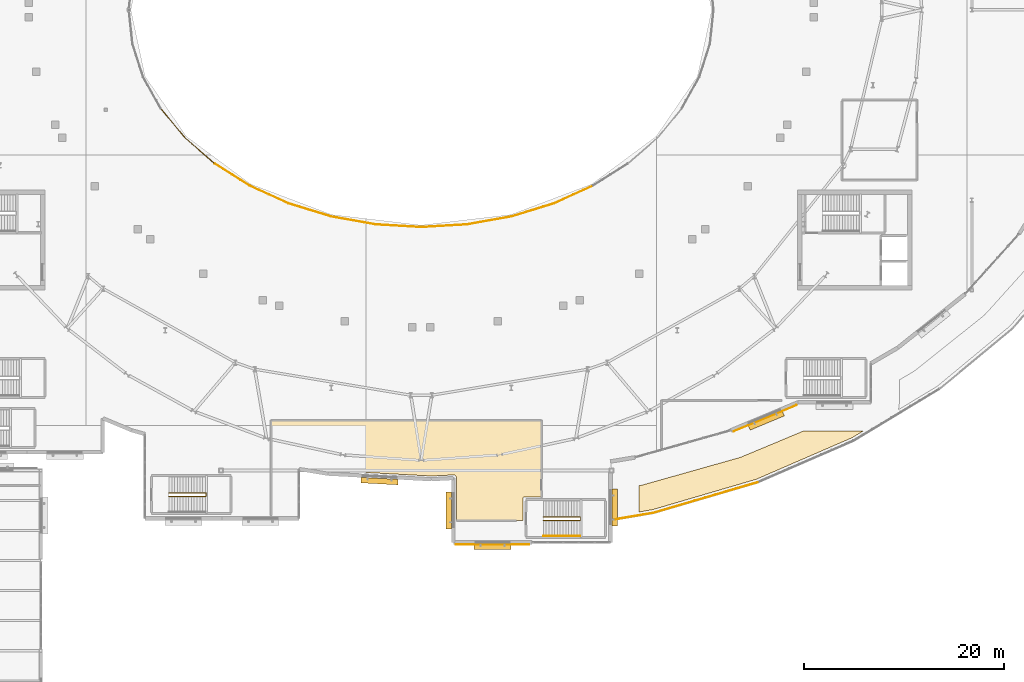
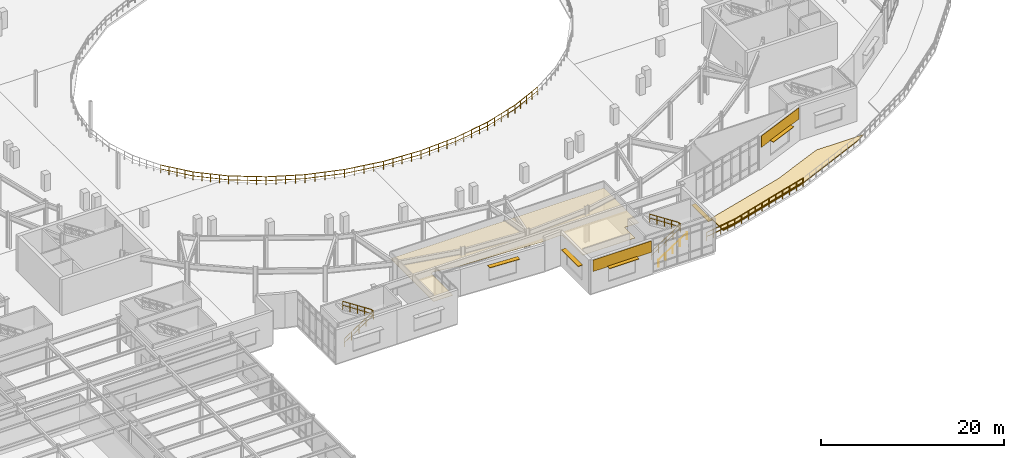
# One storey, part 79 of 84: 16 railings, 5 shading devices, 4 coverings.
"""IFC4 building model written with IfcOpenShell, lengths in metres."""

from ifc_helpers import new_model, si_unit, direction, frame, origin, origin_2d, place, context, subcontext, project, spatial, polyline, rectangle, circle, outline, extrude, material, layer, layer_set, type_object, element, save


model = new_model("IFC4")

# Units and contexts
model_context = context("Model", 3, precision=1e-05, world=origin(), true_north=direction((0.0, 1.0)))
body_context = subcontext(model_context, "Body", "Model", "MODEL_VIEW")
ifc_project = project(units=[si_unit("LENGTHUNIT", "METRE"), si_unit("AREAUNIT", "SQUARE_METRE"), si_unit("VOLUMEUNIT", "CUBIC_METRE"), si_unit("PLANEANGLEUNIT", "RADIAN"), si_unit("MASSUNIT", "GRAM", prefix="KILO")], contexts=[model_context])

# Site, building, storey
site_placement = place(None, origin())
site = spatial("IfcSite", under=ifc_project, at=site_placement, CompositionType="ELEMENT")
building_placement = place(site_placement, origin())
building = spatial("IfcBuilding", under=site, at=building_placement, Name="Glasvene Arena", CompositionType="ELEMENT")
storey_placement = place(building_placement, frame((0.0, 0.0, 10.199951171875)))
storey = spatial("IfcBuildingStorey", under=building, at=storey_placement, Name="L02", CompositionType="ELEMENT", Elevation=10.199951171875)

# Coverings
ifc_material_1 = material(Name="Perforated acoustic mineral ceiling tile")
ifc_layer_1 = layer(ifc_material_1, 0.0400390625)
ifc_layer_set_1 = layer_set([ifc_layer_1], Name="Perforated acoustic mineral ceiling tile")
covering_type_1 = type_object("IfcCoveringType", Name="COV-CEIL-AC", PredefinedType="CEILING", material=ifc_layer_set_1)
covering_1_placement = place(storey_placement, frame((89.950927734375, 26.097412109375, 3.580078125)))
element("IfcCovering", 1, at=covering_1_placement, inside=storey, type_object=covering_type_1, Name="Acoustic suspended ceiling Prairie Club Lounge South", PredefinedType="CEILING", context=body_context, shape_type="SweptSolid", body=[
    extrude(outline(polyline([(5.589111328125, -4.077392578125), (5.58740234375, 0.153076171875), (5.5185546875, 0.326416015625), (5.419189453125, 0.414794921875), (5.330322265625, 0.450439453125), (3.049072265625, 0.343017578125), (-7.22314453125, 0.893798828125), (-10.12841796875, 1.36767578125), (-10.25390625, 1.351806640625), (-10.367919921875, 1.28955078125), (-10.4501953125, 1.18896484375), (-10.488525390625, 1.064697265625), (-10.490966796875, -3.557373046875), (-12.930908203125, -3.557373046875), (-12.930908203125, 5.882568359375), (14.029052734375, 5.882568359375), (14.029052734375, -1.77734375), (12.2490234375, -1.77734375), (12.233642578125, -1.78466796875), (12.22900390625, -4.077392578125), (5.589111328125, -4.077392578125)])), origin(), (0.0, 0.0, 1.0), 0.0400390625),
])
ifc_material_2 = material(Name="Coursed pale Irish limestone", Category="masonry")
ifc_layer_2 = layer(ifc_material_2, 0.050048828125)
ifc_layer_set_2 = layer_set([ifc_layer_2], Name="Coursed pale Irish limestone")
covering_type_2 = type_object("IfcCoveringType", Name="COV-CLAD-LIM", PredefinedType="CLADDING", material=ifc_layer_set_2)
covering_2_placement = place(storey_placement, frame((126.355712890625, 32.21240234375, 2.949951171875), z_axis=(0.0, 0.0, 1.0), x_axis=(-0.922807277859, -0.385261895248, 0.0)))
element("IfcCovering", 2, at=covering_2_placement, inside=storey, type_object=covering_type_2, Name="Irish limestone spandrel cladding EW-L02-0153", PredefinedType="CLADDING", context=body_context, shape_type="SweptSolid", body=[
    extrude(rectangle(XDim=6.783447265625, YDim=0.050048828125, at=origin_2d()), origin(), (0.0, 0.0, 1.0), 1.52001953125),
])
covering_3_placement = place(storey_placement, frame((99.125, 19.60009765625, 2.949951171875), z_axis=(0.0, 0.0, 1.0), x_axis=(-1.0, 0.0, 0.0)))
element("IfcCovering", 3, at=covering_3_placement, inside=storey, type_object=covering_type_2, Name="Irish limestone spandrel cladding EW-L02-0156", PredefinedType="CLADDING", context=body_context, shape_type="SweptSolid", body=[
    extrude(rectangle(XDim=7.35009765625, YDim=0.050048828125, at=origin_2d()), origin(), (0.0, 0.0, 1.0), 1.52001953125),
])
ifc_material_3 = material(Name="Planted sedum green roof substrate")
ifc_layer_3 = layer(ifc_material_3, 0.1201171875)
ifc_layer_set_3 = layer_set([ifc_layer_3], Name="Planted sedum green roof substrate")
covering_type_3 = type_object("IfcCoveringType", Name="COV-ROOF-SEDUM", PredefinedType="ROOFING", material=ifc_layer_set_3)
covering_4_placement = place(storey_placement, frame((121.38720703125, 26.9990234375, 0.0)))
element("IfcCovering", 4, at=covering_4_placement, inside=storey, type_object=covering_type_3, Name="Planted limestone terrace sedum bed TR-L02-STEP1-1-01", PredefinedType="ROOFING", context=body_context, shape_type="SweptSolid", body=[
    extrude(outline(polyline([(14.776123046875, 3.950927734375), (13.638427734375, 3.26318359375), (4.07861328125, -0.8828125), (-6.28564453125, -3.921142578125), (-7.63720703125, -4.150634765625), (-7.63720703125, -1.526123046875), (-7.56298828125, -1.513916015625), (-7.5380859375, -1.50927734375), (-7.273681640625, -1.450439453125), (-7.2490234375, -1.4443359375), (2.304931640625, 1.251953125), (2.330810546875, 1.260009765625), (2.603515625, 1.35498046875), (2.62890625, 1.36474609375), (8.822998046875, 3.950927734375), (14.776123046875, 3.950927734375)])), origin(), (0.0, 0.0, 1.0), 0.1201171875),
])

# Railings
ifc_material_4 = material(Name="Brushed stainless steel", Category="steel")
railing_type_1 = type_object("IfcRailingType", Name="RL-GUARD-1100", PredefinedType="GUARDRAIL", material=ifc_material_4)
railing_1_placement = place(storey_placement, frame((66.800048828125, 24.409912109375, 0.0)))
element("IfcRailing", 5, at=railing_1_placement, inside=storey, type_object=railing_type_1, Name="Stair inner well continuous guardrail ST-08-L02", PredefinedType="GUARDRAIL", context=body_context, shape_type="SweptSolid", body=[
    extrude(circle(Radius=0.02392578125, at=origin_2d()), frame((0.0, 0.0, 1.076171875), z_axis=(0.837590697589, 0.0, 0.546298291515), x_axis=(0.0, 1.0, 0.0)), (0.0, 0.0, 1.0), 4.3935546875),
    extrude(circle(Radius=0.01611328125, at=origin_2d()), frame((0.0, 0.0, 0.550048828125), z_axis=(0.837590697589, 0.0, 0.546298291515), x_axis=(0.0, 1.0, 0.0)), (0.0, 0.0, 1.0), 4.3935546875),
    extrude(circle(Radius=0.02392578125, at=origin_2d()), frame((3.679931640625, 0.0, 3.47607421875), z_axis=(0.0, 1.0, 0.0), x_axis=(-1.0, 0.0, 0.0)), (0.0, 0.0, 1.0), 0.330078125),
    extrude(circle(Radius=0.01611328125, at=origin_2d()), frame((3.679931640625, 0.0, 2.9501953125), z_axis=(0.0, 1.0, 0.0), x_axis=(-1.0, 0.0, 0.0)), (0.0, 0.0, 1.0), 0.330078125),
    extrude(circle(Radius=0.02392578125, at=origin_2d()), frame((3.679931640625, 0.330078125, 3.47607421875), z_axis=(-0.837616124378, 0.0, 0.546259304892), x_axis=(0.0, -1.0, 0.0)), (0.0, 0.0, 1.0), 4.393310546875),
    extrude(circle(Radius=0.01611328125, at=origin_2d()), frame((3.679931640625, 0.330078125, 2.9501953125), z_axis=(-0.837616124378, 0.0, 0.546259304892), x_axis=(0.0, -1.0, 0.0)), (0.0, 0.0, 1.0), 4.393310546875),
    extrude(circle(Radius=0.02099609375, at=origin_2d()), origin(), (0.0, 0.0, 1.0), 1.052001953125),
    extrude(circle(Radius=0.02099609375, at=origin_2d()), frame((0.919921875, 0.0, 0.60009765625)), (0.0, 0.0, 1.0), 1.052001953125),
    extrude(circle(Radius=0.02099609375, at=origin_2d()), frame((1.83984375, 0.0, 1.2001953125)), (0.0, 0.0, 1.0), 1.052001953125),
    extrude(circle(Radius=0.02099609375, at=origin_2d()), frame((2.760009765625, 0.0, 1.800048828125)), (0.0, 0.0, 1.0), 1.052001953125),
    extrude(circle(Radius=0.02099609375, at=origin_2d()), frame((3.679931640625, 0.0, 2.400146484375)), (0.0, 0.0, 1.0), 1.052001953125),
    extrude(circle(Radius=0.02099609375, at=origin_2d()), frame((3.679931640625, 0.330078125, 2.400146484375)), (0.0, 0.0, 1.0), 1.052001953125),
    extrude(circle(Radius=0.02099609375, at=origin_2d()), frame((2.760009765625, 0.330078125, 3.0)), (0.0, 0.0, 1.0), 1.052001953125),
    extrude(circle(Radius=0.02099609375, at=origin_2d()), frame((1.83984375, 0.330078125, 3.60009765625)), (0.0, 0.0, 1.0), 1.052001953125),
    extrude(circle(Radius=0.02099609375, at=origin_2d()), frame((0.919921875, 0.330078125, 4.2001953125)), (0.0, 0.0, 1.0), 1.052001953125),
    extrude(circle(Radius=0.02099609375, at=origin_2d()), frame((0.0, 0.330078125, 4.800048828125)), (0.0, 0.0, 1.0), 1.052001953125),
])
railing_2_placement = place(storey_placement, frame((104.199951171875, 22.010009765625, 0.0)))
element("IfcRailing", 6, at=railing_2_placement, inside=storey, type_object=railing_type_1, Name="Stair inner well continuous guardrail ST-09-L02", PredefinedType="GUARDRAIL", context=body_context, shape_type="SweptSolid", body=[
    extrude(circle(Radius=0.02392578125, at=origin_2d()), frame((0.0, 0.0, 1.076171875), z_axis=(0.837590697589, 0.0, 0.546298291515), x_axis=(0.0, 1.0, 0.0)), (0.0, 0.0, 1.0), 4.3935546875),
    extrude(circle(Radius=0.01611328125, at=origin_2d()), frame((0.0, 0.0, 0.550048828125), z_axis=(0.837590697589, 0.0, 0.546298291515), x_axis=(0.0, 1.0, 0.0)), (0.0, 0.0, 1.0), 4.3935546875),
    extrude(circle(Radius=0.02392578125, at=origin_2d()), frame((3.679931640625, 0.0, 3.47607421875), z_axis=(0.0, 1.0, 0.0), x_axis=(-1.0, 0.0, 0.0)), (0.0, 0.0, 1.0), 0.330078125),
    extrude(circle(Radius=0.01611328125, at=origin_2d()), frame((3.679931640625, 0.0, 2.9501953125), z_axis=(0.0, 1.0, 0.0), x_axis=(-1.0, 0.0, 0.0)), (0.0, 0.0, 1.0), 0.330078125),
    extrude(circle(Radius=0.02392578125, at=origin_2d()), frame((3.679931640625, 0.330078125, 3.47607421875), z_axis=(-0.837616124378, 0.0, 0.546259304892), x_axis=(0.0, -1.0, 0.0)), (0.0, 0.0, 1.0), 4.393310546875),
    extrude(circle(Radius=0.01611328125, at=origin_2d()), frame((3.679931640625, 0.330078125, 2.9501953125), z_axis=(-0.837616124378, 0.0, 0.546259304892), x_axis=(0.0, -1.0, 0.0)), (0.0, 0.0, 1.0), 4.393310546875),
    extrude(circle(Radius=0.02099609375, at=origin_2d()), origin(), (0.0, 0.0, 1.0), 1.052001953125),
    extrude(circle(Radius=0.02099609375, at=origin_2d()), frame((0.919921875, 0.0, 0.60009765625)), (0.0, 0.0, 1.0), 1.052001953125),
    extrude(circle(Radius=0.02099609375, at=origin_2d()), frame((1.83984375, 0.0, 1.2001953125)), (0.0, 0.0, 1.0), 1.052001953125),
    extrude(circle(Radius=0.02099609375, at=origin_2d()), frame((2.760009765625, 0.0, 1.800048828125)), (0.0, 0.0, 1.0), 1.052001953125),
    extrude(circle(Radius=0.02099609375, at=origin_2d()), frame((3.679931640625, 0.0, 2.400146484375)), (0.0, 0.0, 1.0), 1.052001953125),
    extrude(circle(Radius=0.02099609375, at=origin_2d()), frame((3.679931640625, 0.330078125, 2.400146484375)), (0.0, 0.0, 1.0), 1.052001953125),
    extrude(circle(Radius=0.02099609375, at=origin_2d()), frame((2.760009765625, 0.330078125, 3.0)), (0.0, 0.0, 1.0), 1.052001953125),
    extrude(circle(Radius=0.02099609375, at=origin_2d()), frame((1.83984375, 0.330078125, 3.60009765625)), (0.0, 0.0, 1.0), 1.052001953125),
    extrude(circle(Radius=0.02099609375, at=origin_2d()), frame((0.919921875, 0.330078125, 4.2001953125)), (0.0, 0.0, 1.0), 1.052001953125),
    extrude(circle(Radius=0.02099609375, at=origin_2d()), frame((0.0, 0.330078125, 4.800048828125)), (0.0, 0.0, 1.0), 1.052001953125),
])
railing_3_placement = place(storey_placement, frame((65.982666015625, 63.1484375, 0.0)))
element("IfcRailing", 7, at=railing_3_placement, inside=storey, type_object=railing_type_1, Name="Safety guardrail GD-BWL-L02-024", PredefinedType="GUARDRAIL", context=body_context, shape_type="SweptSolid", body=[
    extrude(circle(Radius=0.02392578125, at=origin_2d()), frame((0.0, 0.0, 1.076171875), z_axis=(0.6361937785, -0.771529310006, 0.0), x_axis=(0.771529310006, 0.6361937785, 0.0)), (0.0, 0.0, 1.0), 3.76318359375),
    extrude(circle(Radius=0.01611328125, at=origin_2d()), frame((0.0, 0.0, 0.550048828125), z_axis=(0.6361937785, -0.771529310006, 0.0), x_axis=(0.771529310006, 0.6361937785, 0.0)), (0.0, 0.0, 1.0), 3.76318359375),
    extrude(circle(Radius=0.02099609375, at=origin_2d()), origin(), (0.0, 0.0, 1.0), 1.052001953125),
    extrude(circle(Radius=0.02099609375, at=origin_2d()), frame((0.5986328125, -0.725830078125, 0.0)), (0.0, 0.0, 1.0), 1.052001953125),
    extrude(circle(Radius=0.02099609375, at=origin_2d()), frame((1.197021484375, -1.45166015625, 0.0)), (0.0, 0.0, 1.0), 1.052001953125),
    extrude(circle(Radius=0.02099609375, at=origin_2d()), frame((1.79541015625, -2.177490234375, 0.0)), (0.0, 0.0, 1.0), 1.052001953125),
    extrude(circle(Radius=0.02099609375, at=origin_2d()), frame((2.39404296875, -2.9033203125, 0.0)), (0.0, 0.0, 1.0), 1.052001953125),
])
railing_4_placement = place(storey_placement, frame((68.376708984375, 60.2451171875, 0.0)))
element("IfcRailing", 8, at=railing_4_placement, inside=storey, type_object=railing_type_1, Name="Safety guardrail GD-BWL-L02-025", PredefinedType="GUARDRAIL", context=body_context, shape_type="SweptSolid", body=[
    extrude(circle(Radius=0.02392578125, at=origin_2d()), frame((0.0, 0.0, 1.076171875), z_axis=(0.754394959105, -0.656420784007, 0.0), x_axis=(0.656420784007, 0.754394959105, 0.0)), (0.0, 0.0, 1.0), 3.944580078125),
    extrude(circle(Radius=0.01611328125, at=origin_2d()), frame((0.0, 0.0, 0.550048828125), z_axis=(0.754394959105, -0.656420784007, 0.0), x_axis=(0.656420784007, 0.754394959105, 0.0)), (0.0, 0.0, 1.0), 3.944580078125),
    extrude(circle(Radius=0.02099609375, at=origin_2d()), origin(), (0.0, 0.0, 1.0), 1.052001953125),
    extrude(circle(Radius=0.02099609375, at=origin_2d()), frame((0.743896484375, -0.6474609375, 0.0)), (0.0, 0.0, 1.0), 1.052001953125),
    extrude(circle(Radius=0.02099609375, at=origin_2d()), frame((1.48779296875, -1.294677734375, 0.0)), (0.0, 0.0, 1.0), 1.052001953125),
    extrude(circle(Radius=0.02099609375, at=origin_2d()), frame((2.23193359375, -1.94189453125, 0.0)), (0.0, 0.0, 1.0), 1.052001953125),
    extrude(circle(Radius=0.02099609375, at=origin_2d()), frame((2.975830078125, -2.58935546875, 0.0)), (0.0, 0.0, 1.0), 1.052001953125),
])
railing_5_placement = place(storey_placement, frame((71.3525390625, 57.65576171875, 0.0)))
element("IfcRailing", 9, at=railing_5_placement, inside=storey, type_object=railing_type_1, Name="Safety guardrail GD-BWL-L02-026", PredefinedType="GUARDRAIL", context=body_context, shape_type="SweptSolid", body=[
    extrude(circle(Radius=0.02392578125, at=origin_2d()), frame((0.0, 0.0, 1.076171875), z_axis=(0.844291843699, -0.535883646572, 0.0), x_axis=(0.535883646572, 0.844291843699, 0.0)), (0.0, 0.0, 1.0), 4.126708984375),
    extrude(circle(Radius=0.01611328125, at=origin_2d()), frame((0.0, 0.0, 0.550048828125), z_axis=(0.844291843699, -0.535883646572, 0.0), x_axis=(0.535883646572, 0.844291843699, 0.0)), (0.0, 0.0, 1.0), 4.126708984375),
    extrude(circle(Radius=0.02099609375, at=origin_2d()), origin(), (0.0, 0.0, 1.0), 1.052001953125),
    extrude(circle(Radius=0.02099609375, at=origin_2d()), frame((0.87109375, -0.552734375, 0.0)), (0.0, 0.0, 1.0), 1.052001953125),
    extrude(circle(Radius=0.02099609375, at=origin_2d()), frame((1.7421875, -1.105712890625, 0.0)), (0.0, 0.0, 1.0), 1.052001953125),
    extrude(circle(Radius=0.02099609375, at=origin_2d()), frame((2.613037109375, -1.65869140625, 0.0)), (0.0, 0.0, 1.0), 1.052001953125),
    extrude(circle(Radius=0.02099609375, at=origin_2d()), frame((3.484130859375, -2.21142578125, 0.0)), (0.0, 0.0, 1.0), 1.052001953125),
])
railing_6_placement = place(storey_placement, frame((74.836669921875, 55.4443359375, 0.0)))
element("IfcRailing", 10, at=railing_6_placement, inside=storey, type_object=railing_type_1, Name="Safety guardrail GD-BWL-L02-027", PredefinedType="GUARDRAIL", context=body_context, shape_type="SweptSolid", body=[
    extrude(circle(Radius=0.02392578125, at=origin_2d()), frame((0.0, 0.0, 1.076171875), z_axis=(0.910079947412, -0.414432731958, 0.0), x_axis=(0.414432731958, 0.910079947412, 0.0)), (0.0, 0.0, 1.0), 4.292724609375),
    extrude(circle(Radius=0.01611328125, at=origin_2d()), frame((0.0, 0.0, 0.550048828125), z_axis=(0.910079947412, -0.414432731958, 0.0), x_axis=(0.414432731958, 0.910079947412, 0.0)), (0.0, 0.0, 1.0), 4.292724609375),
    extrude(circle(Radius=0.02099609375, at=origin_2d()), origin(), (0.0, 0.0, 1.0), 1.052001953125),
    extrude(circle(Radius=0.02099609375, at=origin_2d()), frame((0.9765625, -0.44482421875, 0.0)), (0.0, 0.0, 1.0), 1.052001953125),
    extrude(circle(Radius=0.02099609375, at=origin_2d()), frame((1.953369140625, -0.8896484375, 0.0)), (0.0, 0.0, 1.0), 1.052001953125),
    extrude(circle(Radius=0.02099609375, at=origin_2d()), frame((2.93017578125, -1.334228515625, 0.0)), (0.0, 0.0, 1.0), 1.052001953125),
    extrude(circle(Radius=0.02099609375, at=origin_2d()), frame((3.90673828125, -1.779052734375, 0.0)), (0.0, 0.0, 1.0), 1.052001953125),
])
railing_7_placement = place(storey_placement, frame((78.743408203125, 53.665283203125, 0.0)))
element("IfcRailing", 11, at=railing_7_placement, inside=storey, type_object=railing_type_1, Name="Safety guardrail GD-BWL-L02-028", PredefinedType="GUARDRAIL", context=body_context, shape_type="SweptSolid", body=[
    extrude(circle(Radius=0.02392578125, at=origin_2d()), frame((0.0, 0.0, 1.076171875), z_axis=(0.955738480796, -0.294217532323, 0.0), x_axis=(0.294217532323, 0.955738480796, 0.0)), (0.0, 0.0, 1.0), 4.429443359375),
    extrude(circle(Radius=0.01611328125, at=origin_2d()), frame((0.0, 0.0, 0.550048828125), z_axis=(0.955738480796, -0.294217532323, 0.0), x_axis=(0.294217532323, 0.955738480796, 0.0)), (0.0, 0.0, 1.0), 4.429443359375),
    extrude(circle(Radius=0.02099609375, at=origin_2d()), origin(), (0.0, 0.0, 1.0), 1.052001953125),
    extrude(circle(Radius=0.02099609375, at=origin_2d()), frame((1.058349609375, -0.32568359375, 0.0)), (0.0, 0.0, 1.0), 1.052001953125),
    extrude(circle(Radius=0.02099609375, at=origin_2d()), frame((2.11669921875, -0.651611328125, 0.0)), (0.0, 0.0, 1.0), 1.052001953125),
    extrude(circle(Radius=0.02099609375, at=origin_2d()), frame((3.175048828125, -0.9775390625, 0.0)), (0.0, 0.0, 1.0), 1.052001953125),
    extrude(circle(Radius=0.02099609375, at=origin_2d()), frame((4.2333984375, -1.30322265625, 0.0)), (0.0, 0.0, 1.0), 1.052001953125),
])
railing_8_placement = place(storey_placement, frame((82.976806640625, 52.362060546875, 0.0)))
element("IfcRailing", 12, at=railing_8_placement, inside=storey, type_object=railing_type_1, Name="Safety guardrail GD-BWL-L02-029", PredefinedType="GUARDRAIL", context=body_context, shape_type="SweptSolid", body=[
    extrude(circle(Radius=0.02392578125, at=origin_2d()), frame((0.0, 0.0, 1.076171875), z_axis=(0.984453237515, -0.175646870587, 0.0), x_axis=(0.175646870587, 0.984453237515, 0.0)), (0.0, 0.0, 1.0), 4.525634765625),
    extrude(circle(Radius=0.01611328125, at=origin_2d()), frame((0.0, 0.0, 0.550048828125), z_axis=(0.984453237515, -0.175646870587, 0.0), x_axis=(0.175646870587, 0.984453237515, 0.0)), (0.0, 0.0, 1.0), 4.525634765625),
    extrude(circle(Radius=0.02099609375, at=origin_2d()), origin(), (0.0, 0.0, 1.0), 1.052001953125),
    extrude(circle(Radius=0.02099609375, at=origin_2d()), frame((1.11376953125, -0.19873046875, 0.0)), (0.0, 0.0, 1.0), 1.052001953125),
    extrude(circle(Radius=0.02099609375, at=origin_2d()), frame((2.2275390625, -0.3974609375, 0.0)), (0.0, 0.0, 1.0), 1.052001953125),
    extrude(circle(Radius=0.02099609375, at=origin_2d()), frame((3.341552734375, -0.59619140625, 0.0)), (0.0, 0.0, 1.0), 1.052001953125),
    extrude(circle(Radius=0.02099609375, at=origin_2d()), frame((4.455322265625, -0.794921875, 0.0)), (0.0, 0.0, 1.0), 1.052001953125),
])
railing_9_placement = place(storey_placement, frame((87.43212890625, 51.567138671875, 0.0)))
element("IfcRailing", 13, at=railing_9_placement, inside=storey, type_object=railing_type_1, Name="Safety guardrail GD-BWL-L02-030", PredefinedType="GUARDRAIL", context=body_context, shape_type="SweptSolid", body=[
    extrude(circle(Radius=0.02392578125, at=origin_2d()), frame((0.0, 0.0, 1.076171875), z_axis=(0.998294918251, -0.058371707139, 0.0), x_axis=(0.058371707139, 0.998294918251, 0.0)), (0.0, 0.0, 1.0), 4.57568359375),
    extrude(circle(Radius=0.01611328125, at=origin_2d()), frame((0.0, 0.0, 0.550048828125), z_axis=(0.998294918251, -0.058371707139, 0.0), x_axis=(0.058371707139, 0.998294918251, 0.0)), (0.0, 0.0, 1.0), 4.57568359375),
    extrude(circle(Radius=0.02099609375, at=origin_2d()), origin(), (0.0, 0.0, 1.0), 1.052001953125),
    extrude(circle(Radius=0.02099609375, at=origin_2d()), frame((1.14208984375, -0.06689453125, 0.0)), (0.0, 0.0, 1.0), 1.052001953125),
    extrude(circle(Radius=0.02099609375, at=origin_2d()), frame((2.283935546875, -0.133544921875, 0.0)), (0.0, 0.0, 1.0), 1.052001953125),
    extrude(circle(Radius=0.02099609375, at=origin_2d()), frame((3.42578125, -0.2001953125, 0.0)), (0.0, 0.0, 1.0), 1.052001953125),
    extrude(circle(Radius=0.02099609375, at=origin_2d()), frame((4.56787109375, -0.26708984375, 0.0)), (0.0, 0.0, 1.0), 1.052001953125),
])
railing_10_placement = place(storey_placement, frame((92.0, 51.300048828125, 0.0)))
element("IfcRailing", 14, at=railing_10_placement, inside=storey, type_object=railing_type_1, Name="Safety guardrail GD-BWL-L02-031", PredefinedType="GUARDRAIL", context=body_context, shape_type="SweptSolid", body=[
    extrude(circle(Radius=0.02392578125, at=origin_2d()), frame((0.0, 0.0, 1.076171875), z_axis=(0.998294918251, 0.058371707139, 0.0), x_axis=(-0.058371707139, 0.998294918251, 0.0)), (0.0, 0.0, 1.0), 4.57568359375),
    extrude(circle(Radius=0.01611328125, at=origin_2d()), frame((0.0, 0.0, 0.550048828125), z_axis=(0.998294918251, 0.058371707139, 0.0), x_axis=(-0.058371707139, 0.998294918251, 0.0)), (0.0, 0.0, 1.0), 4.57568359375),
    extrude(circle(Radius=0.02099609375, at=origin_2d()), origin(), (0.0, 0.0, 1.0), 1.052001953125),
    extrude(circle(Radius=0.02099609375, at=origin_2d()), frame((1.14208984375, 0.06689453125, 0.0)), (0.0, 0.0, 1.0), 1.052001953125),
    extrude(circle(Radius=0.02099609375, at=origin_2d()), frame((2.283935546875, 0.133544921875, 0.0)), (0.0, 0.0, 1.0), 1.052001953125),
    extrude(circle(Radius=0.02099609375, at=origin_2d()), frame((3.42578125, 0.2001953125, 0.0)), (0.0, 0.0, 1.0), 1.052001953125),
    extrude(circle(Radius=0.02099609375, at=origin_2d()), frame((4.56787109375, 0.26708984375, 0.0)), (0.0, 0.0, 1.0), 1.052001953125),
])
railing_11_placement = place(storey_placement, frame((96.56787109375, 51.567138671875, 0.0)))
element("IfcRailing", 15, at=railing_11_placement, inside=storey, type_object=railing_type_1, Name="Safety guardrail GD-BWL-L02-032", PredefinedType="GUARDRAIL", context=body_context, shape_type="SweptSolid", body=[
    extrude(circle(Radius=0.02392578125, at=origin_2d()), frame((0.0, 0.0, 1.076171875), z_axis=(0.984453237515, 0.175646870587, 0.0), x_axis=(-0.175646870587, 0.984453237515, 0.0)), (0.0, 0.0, 1.0), 4.525634765625),
    extrude(circle(Radius=0.01611328125, at=origin_2d()), frame((0.0, 0.0, 0.550048828125), z_axis=(0.984453237515, 0.175646870587, 0.0), x_axis=(-0.175646870587, 0.984453237515, 0.0)), (0.0, 0.0, 1.0), 4.525634765625),
    extrude(circle(Radius=0.02099609375, at=origin_2d()), origin(), (0.0, 0.0, 1.0), 1.052001953125),
    extrude(circle(Radius=0.02099609375, at=origin_2d()), frame((1.11376953125, 0.19873046875, 0.0)), (0.0, 0.0, 1.0), 1.052001953125),
    extrude(circle(Radius=0.02099609375, at=origin_2d()), frame((2.2275390625, 0.3974609375, 0.0)), (0.0, 0.0, 1.0), 1.052001953125),
    extrude(circle(Radius=0.02099609375, at=origin_2d()), frame((3.341552734375, 0.59619140625, 0.0)), (0.0, 0.0, 1.0), 1.052001953125),
    extrude(circle(Radius=0.02099609375, at=origin_2d()), frame((4.455322265625, 0.794921875, 0.0)), (0.0, 0.0, 1.0), 1.052001953125),
])
railing_12_placement = place(storey_placement, frame((101.023193359375, 52.362060546875, 0.0)))
element("IfcRailing", 16, at=railing_12_placement, inside=storey, type_object=railing_type_1, Name="Safety guardrail GD-BWL-L02-033", PredefinedType="GUARDRAIL", context=body_context, shape_type="SweptSolid", body=[
    extrude(circle(Radius=0.02392578125, at=origin_2d()), frame((0.0, 0.0, 1.076171875), z_axis=(0.955738480796, 0.294217532323, 0.0), x_axis=(-0.294217532323, 0.955738480796, 0.0)), (0.0, 0.0, 1.0), 4.429443359375),
    extrude(circle(Radius=0.01611328125, at=origin_2d()), frame((0.0, 0.0, 0.550048828125), z_axis=(0.955738480796, 0.294217532323, 0.0), x_axis=(-0.294217532323, 0.955738480796, 0.0)), (0.0, 0.0, 1.0), 4.429443359375),
    extrude(circle(Radius=0.02099609375, at=origin_2d()), origin(), (0.0, 0.0, 1.0), 1.052001953125),
    extrude(circle(Radius=0.02099609375, at=origin_2d()), frame((1.058349609375, 0.32568359375, 0.0)), (0.0, 0.0, 1.0), 1.052001953125),
    extrude(circle(Radius=0.02099609375, at=origin_2d()), frame((2.11669921875, 0.651611328125, 0.0)), (0.0, 0.0, 1.0), 1.052001953125),
    extrude(circle(Radius=0.02099609375, at=origin_2d()), frame((3.175048828125, 0.9775390625, 0.0)), (0.0, 0.0, 1.0), 1.052001953125),
    extrude(circle(Radius=0.02099609375, at=origin_2d()), frame((4.2333984375, 1.30322265625, 0.0)), (0.0, 0.0, 1.0), 1.052001953125),
])
railing_13_placement = place(storey_placement, frame((105.256591796875, 53.665283203125, 0.0)))
element("IfcRailing", 17, at=railing_13_placement, inside=storey, type_object=railing_type_1, Name="Safety guardrail GD-BWL-L02-034", PredefinedType="GUARDRAIL", context=body_context, shape_type="SweptSolid", body=[
    extrude(circle(Radius=0.02392578125, at=origin_2d()), frame((0.0, 0.0, 1.076171875), z_axis=(0.910079947412, 0.414432731958, 0.0), x_axis=(-0.414432731958, 0.910079947412, 0.0)), (0.0, 0.0, 1.0), 4.292724609375),
    extrude(circle(Radius=0.01611328125, at=origin_2d()), frame((0.0, 0.0, 0.550048828125), z_axis=(0.910079947412, 0.414432731958, 0.0), x_axis=(-0.414432731958, 0.910079947412, 0.0)), (0.0, 0.0, 1.0), 4.292724609375),
    extrude(circle(Radius=0.02099609375, at=origin_2d()), origin(), (0.0, 0.0, 1.0), 1.052001953125),
    extrude(circle(Radius=0.02099609375, at=origin_2d()), frame((0.9765625, 0.44482421875, 0.0)), (0.0, 0.0, 1.0), 1.052001953125),
    extrude(circle(Radius=0.02099609375, at=origin_2d()), frame((1.953369140625, 0.8896484375, 0.0)), (0.0, 0.0, 1.0), 1.052001953125),
    extrude(circle(Radius=0.02099609375, at=origin_2d()), frame((2.93017578125, 1.334228515625, 0.0)), (0.0, 0.0, 1.0), 1.052001953125),
    extrude(circle(Radius=0.02099609375, at=origin_2d()), frame((3.90673828125, 1.779052734375, 0.0)), (0.0, 0.0, 1.0), 1.052001953125),
])
ifc_material_5 = material(Name="Warm bronze architectural aluminium", Category="aluminium")
railing_type_2 = type_object("IfcRailingType", Name="RL-GUARD-EXT-1150", PredefinedType="GUARDRAIL", material=ifc_material_5)
railing_14_placement = place(storey_placement, frame((125.578369140625, 25.805419921875, 0.0)))
element("IfcRailing", 18, at=railing_14_placement, inside=storey, type_object=railing_type_2, Name="Safety guardrail GD-TER-L02-TR-L02-STEP1-1-01-006", PredefinedType="GUARDRAIL", context=body_context, shape_type="SweptSolid", body=[
    extrude(circle(Radius=0.02392578125, at=origin_2d()), frame((0.0, 0.0, 1.1259765625), z_axis=(-0.959615441823, -0.281315132573, 0.0), x_axis=(0.281315132573, -0.959615441823, 0.0)), (0.0, 0.0, 1.0), 10.84033203125),
    extrude(circle(Radius=0.01611328125, at=origin_2d()), frame((0.0, 0.0, 0.574951171875), z_axis=(-0.959615441823, -0.281315132573, 0.0), x_axis=(0.281315132573, -0.959615441823, 0.0)), (0.0, 0.0, 1.0), 10.84033203125),
    extrude(circle(Radius=0.02099609375, at=origin_2d()), origin(), (0.0, 0.0, 1.0), 1.101806640625),
    extrude(circle(Radius=0.02099609375, at=origin_2d()), frame((-1.040283203125, -0.304931640625, 0.0)), (0.0, 0.0, 1.0), 1.101806640625),
    extrude(circle(Radius=0.02099609375, at=origin_2d()), frame((-2.08056640625, -0.60986328125, 0.0)), (0.0, 0.0, 1.0), 1.101806640625),
    extrude(circle(Radius=0.02099609375, at=origin_2d()), frame((-3.120849609375, -0.914794921875, 0.0)), (0.0, 0.0, 1.0), 1.101806640625),
    extrude(circle(Radius=0.02099609375, at=origin_2d()), frame((-4.1611328125, -1.2197265625, 0.0)), (0.0, 0.0, 1.0), 1.101806640625),
    extrude(circle(Radius=0.02099609375, at=origin_2d()), frame((-5.201171875, -1.52490234375, 0.0)), (0.0, 0.0, 1.0), 1.101806640625),
    extrude(circle(Radius=0.02099609375, at=origin_2d()), frame((-6.241455078125, -1.829833984375, 0.0)), (0.0, 0.0, 1.0), 1.101806640625),
    extrude(circle(Radius=0.02099609375, at=origin_2d()), frame((-7.28173828125, -2.134765625, 0.0)), (0.0, 0.0, 1.0), 1.101806640625),
    extrude(circle(Radius=0.02099609375, at=origin_2d()), frame((-8.322021484375, -2.439697265625, 0.0)), (0.0, 0.0, 1.0), 1.101806640625),
    extrude(circle(Radius=0.02099609375, at=origin_2d()), frame((-9.3623046875, -2.74462890625, 0.0)), (0.0, 0.0, 1.0), 1.101806640625),
    extrude(circle(Radius=0.02099609375, at=origin_2d()), frame((-10.402587890625, -3.049560546875, 0.0)), (0.0, 0.0, 1.0), 1.101806640625),
])
railing_15_placement = place(storey_placement, frame((115.17578125, 22.755859375, 0.0)))
element("IfcRailing", 19, at=railing_15_placement, inside=storey, type_object=railing_type_2, Name="Safety guardrail GD-TER-L02-TR-L02-STEP1-1-01-007", PredefinedType="GUARDRAIL", context=body_context, shape_type="SweptSolid", body=[
    extrude(circle(Radius=0.02392578125, at=origin_2d()), frame((0.0, 0.0, 1.1259765625), z_axis=(-0.98587205009, -0.167500151794, 0.0), x_axis=(0.167500151794, -0.98587205009, 0.0)), (0.0, 0.0, 1.0), 3.98193359375),
    extrude(circle(Radius=0.01611328125, at=origin_2d()), frame((0.0, 0.0, 0.574951171875), z_axis=(-0.98587205009, -0.167500151794, 0.0), x_axis=(0.167500151794, -0.98587205009, 0.0)), (0.0, 0.0, 1.0), 3.98193359375),
    extrude(circle(Radius=0.02099609375, at=origin_2d()), origin(), (0.0, 0.0, 1.0), 1.101806640625),
    extrude(circle(Radius=0.02099609375, at=origin_2d()), frame((-0.9814453125, -0.166748046875, 0.0)), (0.0, 0.0, 1.0), 1.101806640625),
    extrude(circle(Radius=0.02099609375, at=origin_2d()), frame((-1.962890625, -0.33349609375, 0.0)), (0.0, 0.0, 1.0), 1.101806640625),
    extrude(circle(Radius=0.02099609375, at=origin_2d()), frame((-2.9443359375, -0.500244140625, 0.0)), (0.0, 0.0, 1.0), 1.101806640625),
    extrude(circle(Radius=0.02099609375, at=origin_2d()), frame((-3.92578125, -0.6669921875, 0.0)), (0.0, 0.0, 1.0), 1.101806640625),
])
railing_type_3 = type_object("IfcRailingType", Name="RL-HAND-950", PredefinedType="HANDRAIL", material=ifc_material_4)
railing_16_placement = place(storey_placement, frame((104.199951171875, 20.4599609375, 0.0)))
element("IfcRailing", 20, at=railing_16_placement, inside=storey, type_object=railing_type_3, Name="Stair wall handrail ST-09-L02", PredefinedType="HANDRAIL", context=body_context, shape_type="SweptSolid", body=[
    extrude(circle(Radius=0.02392578125, at=origin_2d()), frame((0.0, 0.0, 0.92578125), z_axis=(0.834856447115, 0.0, 0.55046772177), x_axis=(0.0, 1.0, 0.0)), (0.0, 0.0, 1.0), 4.360107421875),
    extrude(circle(Radius=0.02099609375, at=origin_2d()), origin(), (0.0, 0.0, 1.0), 0.90185546875),
    extrude(circle(Radius=0.02099609375, at=origin_2d()), frame((0.91015625, 0.0, 0.60009765625)), (0.0, 0.0, 1.0), 0.90185546875),
    extrude(circle(Radius=0.02099609375, at=origin_2d()), frame((1.820068359375, 0.0, 1.2001953125)), (0.0, 0.0, 1.0), 0.90185546875),
    extrude(circle(Radius=0.02099609375, at=origin_2d()), frame((2.72998046875, 0.0, 1.800048828125)), (0.0, 0.0, 1.0), 0.90185546875),
    extrude(circle(Radius=0.02099609375, at=origin_2d()), frame((3.64013671875, 0.0, 2.400146484375)), (0.0, 0.0, 1.0), 0.90185546875),
])

# Shading devices
ifc_layer_4 = layer(ifc_material_5, 0.06005859375)
ifc_layer_set_4 = layer_set([ifc_layer_4], Name="Warm bronze architectural aluminium")
shading_device_type = type_object("IfcShadingDeviceType", Name="SHD-BRONZE-FIN", PredefinedType="USERDEFINED", material=ifc_layer_set_4)
for number, where, z_axis, x_axis, name in (
    (21, (126.449951171875, 31.986328125, 2.969970703125), (0.0, 0.0, 1.0), (-0.922807277859, -0.385261895248, 0.0), "Warm bronze brise-soleil fin BS-054"),
    (22, (111.344970703125, 23.29736328125, 2.969970703125), (0.0, 0.0, 1.0), (0.0, -1.0, 0.0), "Warm bronze brise-soleil fin BS-055"),
    (23, (99.125, 19.35498046875, 2.969970703125), (0.0, 0.0, 1.0), (-1.0, 0.0, 0.0), "Warm bronze brise-soleil fin BS-056"),
    (24, (94.7548828125, 23.009033203125, 2.969970703125), (0.0, 0.0, 1.0), (0.0, 1.0, 0.0), "Warm bronze brise-soleil fin BS-057"),
    (25, (87.82177734375, 25.931884765625, 2.969970703125), (0.0, 0.0, 1.0), (-0.998564849048, 0.053555973018, 0.0), "Warm bronze brise-soleil fin BS-058"),
):
    element("IfcShadingDevice", number, at=place(storey_placement, frame(where, z_axis=z_axis, x_axis=x_axis)), inside=storey, type_object=shading_device_type, Name=name, ObjectType="BRISE SOLEIL", PredefinedType="USERDEFINED", context=body_context, shape_type="SweptSolid", body=[
        extrude(rectangle(XDim=3.699951171875, YDim=0.550048828125, at=origin_2d()), origin(), (0.0, 0.0, 1.0), 0.06005859375),
    ])

save(model, "model.ifc")
